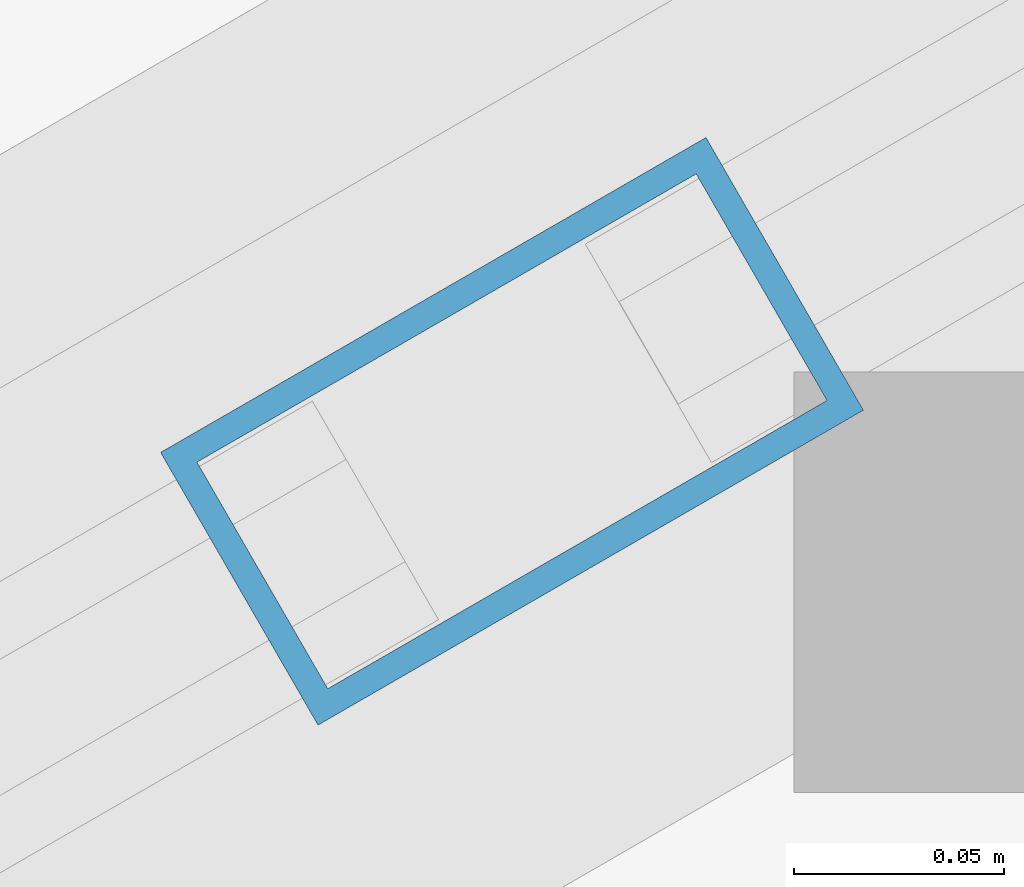
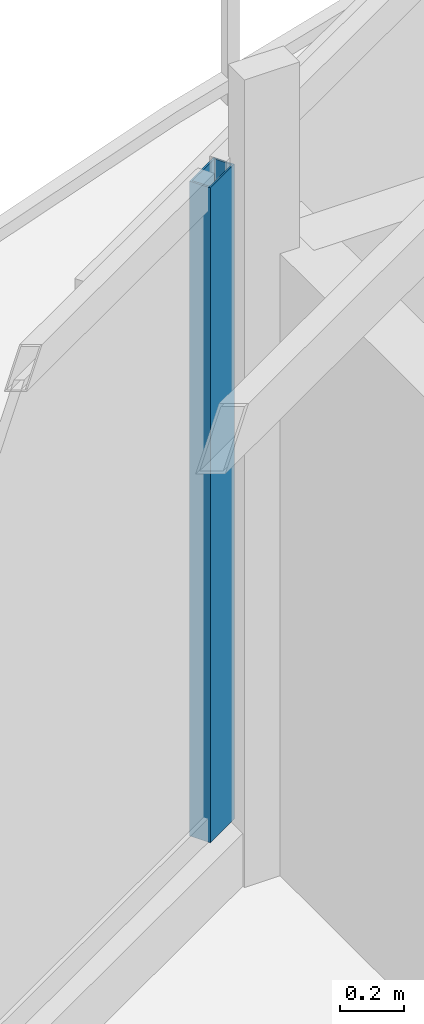
# One storey, part 10 of 22: 1 member, 1 element without a shape of its own.
"""IFC4 building model written with IfcOpenShell, lengths in metres."""

from ifc_helpers import new_model, si_unit, direction, frame, origin, origin_2d, place, context, subcontext, project, spatial, hollow_rectangle, extrude, material, layer, layer_set, material_profile, profile_set, type_object, element, aggregate, save


model = new_model("IFC4")

# Units and contexts
model_context = context("Model", 3, precision=1e-05, world=origin(), true_north=direction((0.0, 1.0)))
body_context = subcontext(model_context, "Body", "Model", "MODEL_VIEW")
ifc_project = project(units=[si_unit("LENGTHUNIT", "METRE"), si_unit("AREAUNIT", "SQUARE_METRE"), si_unit("VOLUMEUNIT", "CUBIC_METRE"), si_unit("PLANEANGLEUNIT", "RADIAN"), si_unit("MASSUNIT", "GRAM", prefix="KILO")], contexts=[model_context])

# Site, building, storey
site_placement = place(None, origin())
site = spatial("IfcSite", under=ifc_project, at=site_placement, CompositionType="ELEMENT")
building_placement = place(site_placement, origin())
building = spatial("IfcBuilding", under=site, at=building_placement, Name="Mersakhor Tower and Convention Hall", CompositionType="ELEMENT")
storey_placement = place(building_placement, frame((0.0, 0.0, 208.5)))
storey = spatial("IfcBuildingStorey", under=building, at=storey_placement, Name="L58", CompositionType="ELEMENT", Elevation=208.5)

# Curtain wall, member
ifc_material_1 = material(Name="Dark solar low-E aluminium curtain wall", Category="aluminium")
ifc_layer = layer(ifc_material_1, 0.169921875)
ifc_layer_set = layer_set([ifc_layer], Name="Dark solar low-E aluminium curtain wall")
curtain_wall_type = type_object("IfcCurtainWallType", Name="CW-SYS-02", PredefinedType="USERDEFINED", material=ifc_layer_set)
curtain_wall_placement = place(storey_placement, origin())
curtain_wall = element("IfcCurtainWall", 1, at=curtain_wall_placement, inside=storey, type_object=curtain_wall_type, Name="L58 Dark-Glass Curtain Wall F1-B2", ObjectType="CURTAIN WALL", PredefinedType="USERDEFINED")
ifc_material_2 = material(Name="Anodised aluminium EN AW-6063 T6", Category="aluminium")
ifc_material_profile = material_profile(ifc_material_2, hollow_rectangle(XDim=0.074951171875, YDim=0.14990234375, WallThickness=0.00634765625, at=origin_2d()), Name="RHS 150x75x6.3")
ifc_profile_set = profile_set([ifc_material_profile], Name="Anodised aluminium EN AW-6063 T6")
member_type = type_object("IfcMemberType", Name="CWM-150x75", PredefinedType="MULLION", material=ifc_profile_set)
member_placement = place(storey_placement, frame((24.504638671875, 37.535888671875, 0.199951171875), z_axis=(0.0, 0.0, 1.0), x_axis=(-0.500007824483, 0.86602088627, 0.0)))
member = element("IfcMember", 2, at=member_placement, type_object=member_type, Name="CW-02 mullion 3", PredefinedType="MULLION", context=body_context, shape_type="SweptSolid", body=[
    extrude(hollow_rectangle(XDim=0.074951171875, YDim=0.14990234375, WallThickness=0.00634765625, at=origin_2d()), origin(), (0.0, 0.0, 1.0), 2.489990234375),
])
aggregate(curtain_wall, [member])

save(model, "model.ifc")
